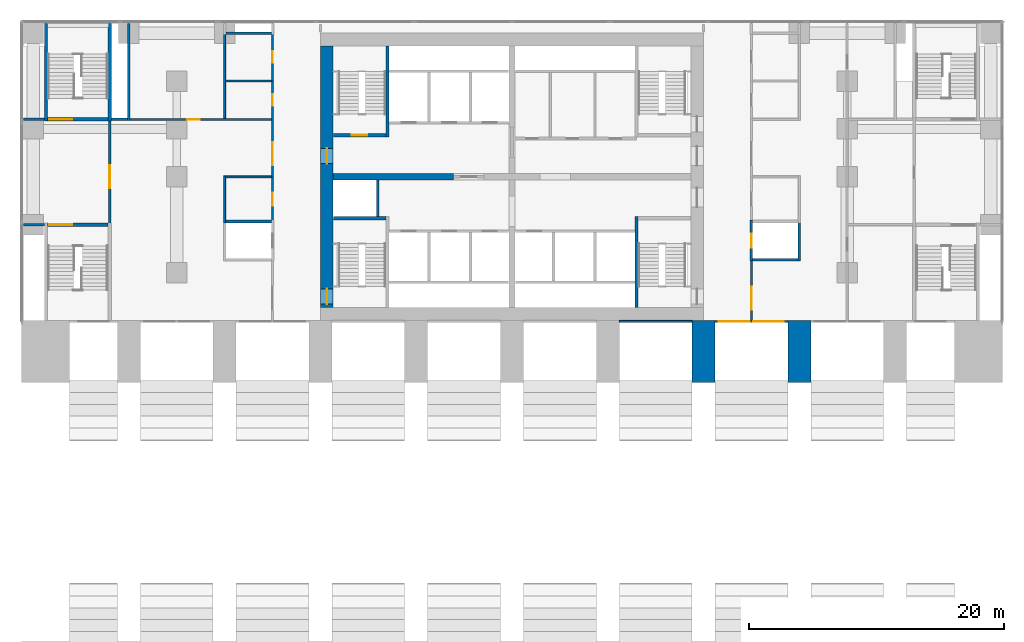
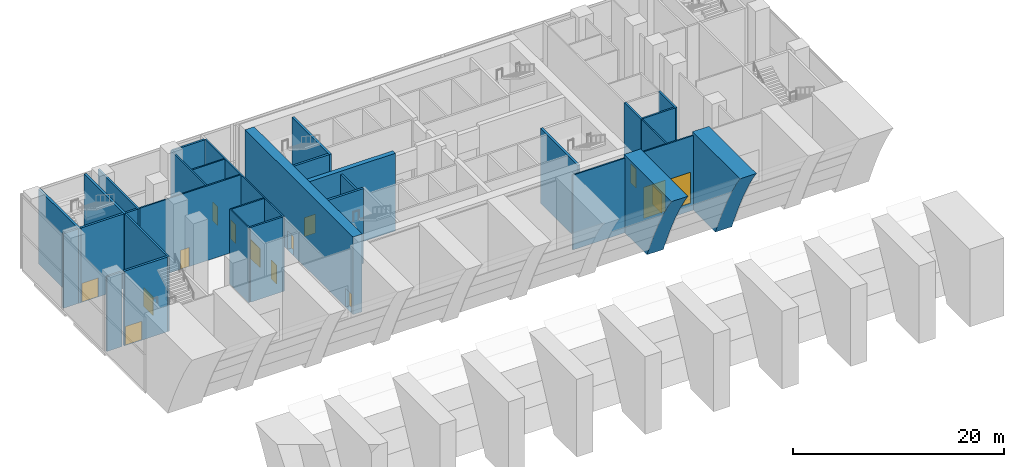
# One storey, part 6 of 14: 32 walls, 13 doors, 2 windows, 15 openings.
"""IFC4 building model written with IfcOpenShell, lengths in metres."""

import ifcopenshell
import ifcopenshell.guid

model = None  # the IFC model being written
_history = None  # IfcOwnerHistory: only IFC2X3 demands one
_inside = {}  # id of a spatial element -> (the spatial element, [elements in it])
_under = {}  # id of a project, library or spatial element -> (it, [spatial elements below it])
_declared = {}  # id of a project -> (the project, [libraries it declares])
_typed = {}  # id of a type object -> (the type object, [elements of that type])
_made_of = {}  # id of a material, layer set ... -> (it, [elements and type objects made of it])


def new_model(schema):
    """Start an empty IFC model of exactly this schema.

    Asked for "IFC4X3", IfcOpenShell would pick the latest addendum, in which some entities
    have other attributes; the version numbers below select the first issue.
    IFC2X3 requires an IfcOwnerHistory on every rooted entity: one is made here for all.
    """
    global model, _history
    if schema == "IFC4X3":
        model = ifcopenshell.file(schema_version=(4, 3, 0, 0))
    else:
        model = ifcopenshell.file(schema=schema)
    _inside.clear()
    _under.clear()
    _declared.clear()
    _typed.clear()
    _made_of.clear()
    _history = None
    if model.schema == "IFC2X3":
        org = make("IfcOrganization", Name="unknown")
        user = make(
            "IfcPersonAndOrganization",
            ThePerson=make("IfcPerson", FamilyName="unknown"),
            TheOrganization=org,
        )
        app = make(
            "IfcApplication",
            ApplicationDeveloper=org,
            Version="unknown",
            ApplicationFullName="unknown",
            ApplicationIdentifier="unknown",
        )
        _history = make(
            "IfcOwnerHistory",
            OwningUser=user,
            OwningApplication=app,
            ChangeAction="ADDED",
            CreationDate=0,
        )
    return model


def make(cls, **values):
    """One entity of the class cls with the attributes given. An attribute that is None is left unset."""
    return model.create_entity(
        cls, **{name: value for name, value in values.items() if value is not None}
    )


def rooted(cls, **values):
    """An entity with a GlobalId (a new one), such as an element, a storey or a relation."""
    return make(cls, GlobalId=ifcopenshell.guid.new(), OwnerHistory=_history, **values)


def si_unit(unit_type, name, prefix=None):
    """IfcSIUnit, for example si_unit("LENGTHUNIT", "METRE", prefix="MILLI")."""
    return make("IfcSIUnit", UnitType=unit_type, Prefix=prefix, Name=name)


def assignment(units):
    """IfcUnitAssignment: the units of a project."""
    return None if units is None else make("IfcUnitAssignment", Units=units)


def point(xyz):
    """IfcCartesianPoint."""
    return None if xyz is None else make("IfcCartesianPoint", Coordinates=xyz)


def direction(xyz):
    """IfcDirection."""
    return None if xyz is None else make("IfcDirection", DirectionRatios=xyz)


def frame(location, z_axis=None, x_axis=None):
    """IfcAxis2Placement3D, a coordinate frame: its origin and axes. An axis left out is left unset."""
    return make(
        "IfcAxis2Placement3D",
        Location=point(location),
        Axis=direction(z_axis),
        RefDirection=direction(x_axis),
    )


def frame_2d(location, x_axis=None):
    """IfcAxis2Placement2D, a coordinate frame in the plane: its origin and x axis."""
    return make(
        "IfcAxis2Placement2D", Location=point(location), RefDirection=direction(x_axis)
    )


def origin():
    """The frame at (0, 0, 0) with its axes left unset."""
    return frame((0.0, 0.0, 0.0))


def place(relative_to, where):
    """IfcLocalPlacement: puts the frame where relative to a parent placement (None: the world)."""
    return make(
        "IfcLocalPlacement", PlacementRelTo=relative_to, RelativePlacement=where
    )


def context(
    kind, dimensions, precision=None, world=None, true_north=None, identifier=None
):
    """IfcGeometricRepresentationContext, for example the 3D "Model" context."""
    return make(
        "IfcGeometricRepresentationContext",
        ContextIdentifier=identifier,
        ContextType=kind,
        CoordinateSpaceDimension=dimensions,
        Precision=precision,
        WorldCoordinateSystem=world,
        TrueNorth=true_north,
    )


def subcontext(parent, identifier, kind, view, scale=None):
    """IfcGeometricRepresentationSubContext, for example "Body" below "Model"."""
    return make(
        "IfcGeometricRepresentationSubContext",
        ContextIdentifier=identifier,
        ContextType=kind,
        ParentContext=parent,
        TargetScale=scale,
        TargetView=view,
    )


def project(units=None, contexts=None):
    """IfcProject with its units and contexts."""
    return rooted(
        "IfcProject",
        Name="project",
        RepresentationContexts=contexts,
        UnitsInContext=assignment(units),
    )


def spatial(cls, under=None, at=None, **own):
    """A site, building, storey or space (cls), placed at a placement, below another one or the project."""
    s = rooted(cls, ObjectPlacement=at, **own)
    if under is not None:
        _under.setdefault(under.id(), (under, []))[1].append(s)
    return s


def polyline(points):
    """IfcPolyline through the points."""
    return make("IfcPolyline", Points=[point(p) for p in points])


def profile(cls, at=None, kind="AREA", **sizes):
    """A parametric profile (cls). Its sizes go by their IFC names, for example OverallWidth=200.0."""
    return make(cls, ProfileType=kind, Position=at, **sizes)


def rectangle(**sizes):
    """IfcRectangleProfileDef."""
    return profile("IfcRectangleProfileDef", **sizes)


def outline(outer, holes=None, kind="AREA"):
    """IfcArbitraryClosedProfileDef: a profile drawn as a closed curve; with holes, ...WithVoids."""
    if holes is None:
        return make("IfcArbitraryClosedProfileDef", ProfileType=kind, OuterCurve=outer)
    return make(
        "IfcArbitraryProfileDefWithVoids",
        ProfileType=kind,
        OuterCurve=outer,
        InnerCurves=holes,
    )


def extrude(swept, where, along, depth):
    """IfcExtrudedAreaSolid: the profile swept, set in the frame where, extruded along a direction by depth."""
    return make(
        "IfcExtrudedAreaSolid",
        SweptArea=swept,
        Position=where,
        ExtrudedDirection=direction(along),
        Depth=depth,
    )


def shape(context_of_items, identifier, shape_type, items):
    """IfcShapeRepresentation: the items that make up one representation, for example the "Body"."""
    return make(
        "IfcShapeRepresentation",
        ContextOfItems=context_of_items,
        RepresentationIdentifier=identifier,
        RepresentationType=shape_type,
        Items=items,
    )


def material(Name=None, Category=None):
    """IfcMaterial."""
    return make("IfcMaterial", Name=Name, Category=Category)


def layer(
    of_material, thickness, ventilated=None, Name=None, Category=None, Priority=None
):
    """IfcMaterialLayer: one layer of a wall or slab, of a material (None: an air gap)."""
    return make(
        "IfcMaterialLayer",
        Material=of_material,
        LayerThickness=thickness,
        IsVentilated=ventilated,
        Name=Name,
        Category=Category,
        Priority=Priority,
    )


def layer_set(layers, Name=None):
    """IfcMaterialLayerSet."""
    return make("IfcMaterialLayerSet", MaterialLayers=layers, LayerSetName=Name)


def made_of(thing, what):
    """Note that an element or type object is made of a material, layer set ...; save() writes the relation."""
    if what is not None:
        _made_of.setdefault(what.id(), (what, []))[1].append(thing)
    return thing


def type_object(cls, material=None, **own):
    """A type object (cls), such as IfcWallType, which elements share."""
    return made_of(rooted(cls, **own), material)


def element(
    cls,
    number,
    at=None,
    inside=None,
    cuts=None,
    type_object=None,
    material=None,
    context=None,
    identifier="Body",
    shape_type=None,
    held_by="IfcProductDefinitionShape",
    body=None,
    shapes=None,
    **own,
):
    """One element of the class cls, such as IfcWall. Its Tag is "e" and its number.

    at: its placement. inside: the storey or other place that contains it. cuts: it is an
    opening in that element (IfcRelVoidsElement). A single representation is given by context,
    identifier, shape_type and body (its items); several are given by shapes. held_by: the class
    of the entity that holds the representations. save() writes the other relations.
    """
    e = rooted(cls, Tag="e%d" % number, ObjectPlacement=at, **own)
    if body is not None:
        shapes = [shape(context, identifier, shape_type, body)]
    if shapes is not None:
        e.Representation = make(held_by, Representations=shapes)
    if inside is not None:
        _inside.setdefault(inside.id(), (inside, []))[1].append(e)
    if cuts is not None:
        rooted(
            "IfcRelVoidsElement", RelatingBuildingElement=cuts, RelatedOpeningElement=e
        )
    if type_object is not None:
        _typed.setdefault(type_object.id(), (type_object, []))[1].append(e)
    return made_of(e, material)


def fill(opening, filler):
    """IfcRelFillsElement: the door or window that sits in an opening."""
    return rooted(
        "IfcRelFillsElement",
        RelatingOpeningElement=opening,
        RelatedBuildingElement=filler,
    )


def aggregate(whole, parts):
    """IfcRelAggregates: a whole, such as a stair, and the parts it consists of."""
    return rooted("IfcRelAggregates", RelatingObject=whole, RelatedObjects=parts)


def save(model, path):
    """Write the relations noted so far, then the file.

    IfcRelAggregates (storeys below a building ...), IfcRelContainedInSpatialStructure (elements
    in a storey), IfcRelDefinesByType, IfcRelAssociatesMaterial and IfcRelDeclares: one each for
    every whole, place, type object, material and project.
    """
    for whole, parts in _under.values():
        aggregate(whole, parts)
    for where, things in _inside.values():
        rooted(
            "IfcRelContainedInSpatialStructure",
            RelatedElements=things,
            RelatingStructure=where,
        )
    for kind, things in _typed.values():
        rooted("IfcRelDefinesByType", RelatedObjects=things, RelatingType=kind)
    for what, things in _made_of.values():
        rooted("IfcRelAssociatesMaterial", RelatedObjects=things, RelatingMaterial=what)
    for by, libraries in _declared.values():
        rooted("IfcRelDeclares", RelatingContext=by, RelatedDefinitions=libraries)
    model.write(path)


model = new_model("IFC4")

# Units and contexts
model_context = context("Model", 3, precision=1e-05, world=origin(), true_north=direction((0.0, 1.0)))
body_context = subcontext(model_context, "Body", "Model", "MODEL_VIEW")
ifc_project = project(units=[si_unit("LENGTHUNIT", "METRE"), si_unit("AREAUNIT", "SQUARE_METRE"), si_unit("VOLUMEUNIT", "CUBIC_METRE"), si_unit("PLANEANGLEUNIT", "RADIAN"), si_unit("MASSUNIT", "GRAM", prefix="KILO")], contexts=[model_context])

# Site, building, storey
site_placement = place(None, origin())
site = spatial("IfcSite", under=ifc_project, at=site_placement, CompositionType="ELEMENT")
building_placement = place(site_placement, origin())
building = spatial("IfcBuilding", under=site, at=building_placement, Name="Pilkhan Gate Tower", CompositionType="ELEMENT")
storey_placement = place(building_placement, frame((0.0, 0.0, 7.5)))
storey = spatial("IfcBuildingStorey", under=building, at=storey_placement, Name="L01", CompositionType="ELEMENT", Elevation=7.5)

# Walls
ifc_material_1 = material(Name="Concrete C70/85", Category="concrete")
ifc_layer_1 = layer(ifc_material_1, 1.800048828125)
ifc_layer_set_1 = layer_set([ifc_layer_1], Name="Arch wall AW1800 C70/85")
wall_type_1 = type_object("IfcWallType", Name="Arch wall AW1800 C70/85", PredefinedType="SHEAR", material=ifc_layer_set_1)
for number, where, z_axis, x_axis, name in (
    (1, (90.89990234375, 66.5625, 0.83984375), (1.0, 0.0, 0.0), (0.0, 0.371855891589, -0.928290469568), "Arch wall +15.00 L01-2"),
    (2, (98.39990234375, 66.5625, 0.83984375), (1.0, 0.0, 0.0), (0.0, 0.371855891589, -0.928290469568), "Arch wall +22.50 L01-2"),
):
    element("IfcWall", number, at=place(storey_placement, frame(where, z_axis=z_axis, x_axis=x_axis)), inside=storey, type_object=wall_type_1, Name=name, PredefinedType="SHEAR", context=body_context, shape_type="SweptSolid", body=[
        extrude(outline(polyline([(0.0, 0.0), (0.9047208578913915, 0.0), (2.5226934408728128, 4.039060729648831), (-5.831920785239549, 7.385763753946168), (-9.189608810240552, -0.9962731154322428), (-8.194368589775456, -0.7571722268898822), (-6.429068211608948, -0.45439775793944737), (-4.47498219839601, -0.22724730209772814), (-2.33188391672122, -0.07581164449450639), (0.0, 0.0)])), origin(), (0.0, 0.0, -1.0), 1.800048828125),
    ])

# Wall, openings, doors
ifc_layer_2 = layer(ifc_material_1, 1.0)
ifc_layer_set_2 = layer_set([ifc_layer_2], Name="Core wall CW1000 C70/85")
wall_type_2 = type_object("IfcWallType", Name="Core wall CW1000 C70/85", PredefinedType="SHEAR", material=ifc_layer_set_2)
wall_1_placement = place(storey_placement, frame((60.5, 92.75, 0.0), z_axis=(0.0, 0.0, 1.0), x_axis=(0.0, -1.0, 0.0)))
wall_1 = element("IfcWall", 3, at=wall_1_placement, inside=storey, type_object=wall_type_2, Name="Core wall W L01", PredefinedType="SHEAR", context=body_context, shape_type="SweptSolid", body=[
    extrude(rectangle(XDim=20.5, YDim=1.0, at=frame_2d((10.25, 0.0))), origin(), (0.0, 0.0, 1.0), 9.0),
])
opening_1_placement = place(wall_1_placement, frame((19.02490234375, 0.0, 0.0)))
opening_1 = element("IfcOpeningElement", 4, at=opening_1_placement, cuts=wall_1, Name="Opening L01-04", PredefinedType="OPENING", context=body_context, shape_type="SweptSolid", body=[
    extrude(rectangle(XDim=1.199951171875, YDim=2.199951171875, at=frame_2d((0.60009765625, 1.10009765625))), frame((0.0, 0.510009765625, 0.0), z_axis=(0.0, -1.0, 0.0), x_axis=(1.0, 0.0, 0.0)), (0.0, 0.0, 1.0), 1.02001953125),
])
opening_2_placement = place(wall_1_placement, frame((8.02490234375, 0.0, 0.0)))
opening_2 = element("IfcOpeningElement", 5, at=opening_2_placement, cuts=wall_1, Name="Opening L01-18", PredefinedType="OPENING", context=body_context, shape_type="SweptSolid", body=[
    extrude(rectangle(XDim=1.199951171875, YDim=2.199951171875, at=frame_2d((0.60009765625, 1.10009765625))), frame((0.0, 0.510009765625, 0.0), z_axis=(0.0, -1.0, 0.0), x_axis=(1.0, 0.0, 0.0)), (0.0, 0.0, 1.0), 1.02001953125),
])
ifc_material_2 = material(Name="Steel door, 120 minute fire resisting, self-closing", Category="steel")
door_type_1 = type_object("IfcDoorType", Name="Firefighting lobby door D10 1200x2200", OperationType="SINGLE_SWING_LEFT", PredefinedType="DOOR", material=ifc_material_2)
door_1_placement = place(opening_2_placement, origin())
door_1 = element("IfcDoor", 6, at=door_1_placement, inside=storey, type_object=door_type_1, Name="Core door", OperationType="SINGLE_SWING_LEFT", OverallHeight=2.199951171875, OverallWidth=1.199951171875, PredefinedType="DOOR", context=body_context, shape_type="SweptSolid", body=[
    extrude(rectangle(XDim=1.199951171875, YDim=2.199951171875, at=frame_2d((0.60009765625, 1.10009765625))), frame((0.0, 0.02490234375, 0.0), z_axis=(0.0, -1.0, 0.0), x_axis=(1.0, 0.0, 0.0)), (0.0, 0.0, 1.0), 0.050048828125),
])
fill(opening_2, door_1)
ifc_material_3 = material(Name="Steel door, 120 minute fire resisting, panic bar", Category="steel")
door_type_2 = type_object("IfcDoorType", Name="Stair door D11 1200x2200", OperationType="SINGLE_SWING_LEFT", PredefinedType="DOOR", material=ifc_material_3)
door_2_placement = place(opening_1_placement, origin())
door_2 = element("IfcDoor", 7, at=door_2_placement, inside=storey, type_object=door_type_2, Name="Stair ST2 door", OperationType="SINGLE_SWING_LEFT", OverallHeight=2.199951171875, OverallWidth=1.199951171875, PredefinedType="DOOR", context=body_context, shape_type="SweptSolid", body=[
    extrude(rectangle(XDim=1.199951171875, YDim=2.199951171875, at=frame_2d((0.60009765625, 1.10009765625))), frame((0.0, 0.02490234375, 0.0), z_axis=(0.0, -1.0, 0.0), x_axis=(1.0, 0.0, 0.0)), (0.0, 0.0, 1.0), 0.050048828125),
])
fill(opening_1, door_2)

# Wall
ifc_material_4 = material(Name="Pale anodised aluminium, clear laminated glazing", Category="aluminium")
ifc_layer_3 = layer(ifc_material_4, 0.14990234375)
ifc_layer_set_3 = layer_set([ifc_layer_3], Name="Facade infill wall IW150")
wall_type_3 = type_object("IfcWallType", Name="Facade infill wall IW150", PredefinedType="SOLIDWALL", material=ifc_layer_set_3)
wall_2_placement = place(storey_placement, frame((83.39990234375, 71.175048828125, 0.0), z_axis=(0.0, 0.0, 1.0), x_axis=(1.0, 0.0, 0.0)))
element("IfcWall", 8, at=wall_2_placement, inside=storey, type_object=wall_type_3, Name="Shopfront wall L01", PredefinedType="SOLIDWALL", context=body_context, shape_type="SweptSolid", body=[
    extrude(rectangle(XDim=5.7001953125, YDim=0.14990234375, at=frame_2d((2.85009765625, 0.0))), origin(), (0.0, 0.0, 1.0), 8.64990234375),
])

# Wall, openings, windows
wall_3_placement = place(storey_placement, frame((90.89990234375, 71.175048828125, 0.0), z_axis=(0.0, 0.0, 1.0), x_axis=(1.0, 0.0, 0.0)))
wall_3 = element("IfcWall", 9, at=wall_3_placement, inside=storey, type_object=wall_type_3, Name="Shopfront wall L01", PredefinedType="SOLIDWALL", context=body_context, shape_type="SweptSolid", body=[
    extrude(rectangle(XDim=5.7001953125, YDim=0.14990234375, at=frame_2d((2.85009765625, 0.0))), origin(), (0.0, 0.0, 1.0), 8.64990234375),
])
opening_3_placement = place(wall_3_placement, frame((0.300048828125, 0.0, 0.89990234375)))
opening_3 = element("IfcOpeningElement", 10, at=opening_3_placement, cuts=wall_3, Name="Opening WS2", PredefinedType="OPENING", context=body_context, shape_type="SweptSolid", body=[
    extrude(rectangle(XDim=2.39990234375, YDim=3.60009765625, at=frame_2d((1.199951171875, 1.800048828125))), frame((0.0, 0.0849609375, 0.0), z_axis=(0.0, -1.0, 0.0), x_axis=(1.0, 0.0, 0.0)), (0.0, 0.0, 1.0), 0.169921875),
])
opening_4_placement = place(wall_3_placement, frame((3.0, 0.0, 0.89990234375)))
opening_4 = element("IfcOpeningElement", 11, at=opening_4_placement, cuts=wall_3, Name="Opening WS2", PredefinedType="OPENING", context=body_context, shape_type="SweptSolid", body=[
    extrude(rectangle(XDim=2.39990234375, YDim=3.60009765625, at=frame_2d((1.199951171875, 1.800048828125))), frame((0.0, 0.0849609375, 0.0), z_axis=(0.0, -1.0, 0.0), x_axis=(1.0, 0.0, 0.0)), (0.0, 0.0, 1.0), 0.169921875),
])
window_type = type_object("IfcWindowType", Name="Shopfront window WS2 2400x3600", PartitioningType="SINGLE_PANEL", PredefinedType="WINDOW", material=ifc_material_4)
window_1_placement = place(opening_3_placement, origin())
window_1 = element("IfcWindow", 12, at=window_1_placement, inside=storey, type_object=window_type, Name="Shopfront window L01", OverallHeight=3.60009765625, OverallWidth=2.39990234375, PartitioningType="SINGLE_PANEL", PredefinedType="WINDOW", context=body_context, shape_type="SweptSolid", body=[
    extrude(rectangle(XDim=2.39990234375, YDim=3.60009765625, at=frame_2d((1.199951171875, 1.800048828125))), frame((0.0, 0.030029296875, 0.0), z_axis=(0.0, -1.0, 0.0), x_axis=(1.0, 0.0, 0.0)), (0.0, 0.0, 1.0), 0.06005859375),
])
fill(opening_3, window_1)
window_2_placement = place(opening_4_placement, origin())
window_2 = element("IfcWindow", 13, at=window_2_placement, inside=storey, type_object=window_type, Name="Shopfront window L01", OverallHeight=3.60009765625, OverallWidth=2.39990234375, PartitioningType="SINGLE_PANEL", PredefinedType="WINDOW", context=body_context, shape_type="SweptSolid", body=[
    extrude(rectangle(XDim=2.39990234375, YDim=3.60009765625, at=frame_2d((1.199951171875, 1.800048828125))), frame((0.0, 0.030029296875, 0.0), z_axis=(0.0, -1.0, 0.0), x_axis=(1.0, 0.0, 0.0)), (0.0, 0.0, 1.0), 0.06005859375),
])
fill(opening_4, window_2)

# Walls
ifc_material_5 = material(Name="Dense blockwork", Category="masonry")
ifc_layer_4 = layer(ifc_material_5, 0.199951171875)
ifc_layer_set_4 = layer_set([ifc_layer_4], Name="Lobby wall LW200")
wall_type_4 = type_object("IfcWallType", Name="Lobby wall LW200", PredefinedType="PARTITIONING", material=ifc_layer_set_4)
for number, where, z_axis, x_axis, name in (
    (14, (36.735107421875, 78.75, 0.0), (0.0, 0.0, 1.0), (1.0, 0.0, 0.0), "Partition L01"),
    (15, (36.735107421875, 87.0, 0.0), (0.0, 0.0, 1.0), (1.0, 0.0, 0.0), "Partition L01"),
):
    element("IfcWall", number, at=place(storey_placement, frame(where, z_axis=z_axis, x_axis=x_axis)), inside=storey, type_object=wall_type_4, Name=name, PredefinedType="PARTITIONING", context=body_context, shape_type="SweptSolid", body=[
        extrude(rectangle(XDim=1.639892578125, YDim=0.199951171875, at=frame_2d((0.81982421875, 0.0))), origin(), (0.0, 0.0, 1.0), 8.64990234375),
    ])
wall_4_placement = place(storey_placement, frame((43.625, 87.0, 0.0), z_axis=(0.0, 0.0, 1.0), x_axis=(1.0, 0.0, 0.0)))
element("IfcWall", 16, at=wall_4_placement, inside=storey, type_object=wall_type_4, Name="Partition L01", PredefinedType="PARTITIONING", context=body_context, shape_type="SweptSolid", body=[
    extrude(rectangle(XDim=1.27490234375, YDim=0.199951171875, at=frame_2d((0.637451171875, 0.0))), origin(), (0.0, 0.0, 1.0), 8.64990234375),
])
wall_5_placement = place(storey_placement, frame((52.60009765625, 93.75, 0.0), z_axis=(0.0, 0.0, 1.0), x_axis=(1.0, 0.0, 0.0)))
element("IfcWall", 17, at=wall_5_placement, inside=storey, type_object=wall_type_4, Name="Partition L01", PredefinedType="PARTITIONING", context=body_context, shape_type="SweptSolid", body=[
    extrude(rectangle(XDim=3.5498046875, YDim=0.199951171875, at=frame_2d((1.77490234375, 0.0))), origin(), (0.0, 0.0, 1.0), 8.64990234375),
])

# Wall, opening, door
wall_6_placement = place(storey_placement, frame((43.5, 78.625, 0.0), z_axis=(0.0, 0.0, 1.0), x_axis=(0.0, 1.0, 0.0)))
wall_6 = element("IfcWall", 18, at=wall_6_placement, inside=storey, type_object=wall_type_4, Name="Partition L01", PredefinedType="PARTITIONING", context=body_context, shape_type="SweptSolid", body=[
    extrude(rectangle(XDim=8.5, YDim=0.199951171875, at=frame_2d((4.25, 0.0))), origin(), (0.0, 0.0, 1.0), 8.64990234375),
])
opening_5_placement = place(wall_6_placement, frame((2.97509765625, 0.0, 0.0)))
opening_5 = element("IfcOpeningElement", 19, at=opening_5_placement, cuts=wall_6, Name="Opening L01-14", PredefinedType="OPENING", context=body_context, shape_type="SweptSolid", body=[
    extrude(rectangle(XDim=1.800048828125, YDim=2.199951171875, at=frame_2d((0.89990234375, 1.10009765625))), frame((0.0, 0.10986328125, 0.0), z_axis=(0.0, -1.0, 0.0), x_axis=(1.0, 0.0, 0.0)), (0.0, 0.0, 1.0), 0.219970703125),
])
ifc_material_6 = material(Name="Timber glazed double door, 30 minute fire resisting", Category="wood")
door_type_3 = type_object("IfcDoorType", Name="Double door D04 1800x2200", OperationType="DOUBLE_DOOR_SINGLE_SWING", PredefinedType="DOOR", material=ifc_material_6)
door_3_placement = place(opening_5_placement, origin())
door_3 = element("IfcDoor", 20, at=door_3_placement, inside=storey, type_object=door_type_3, Name="Hall door", OperationType="DOUBLE_DOOR_SINGLE_SWING", OverallHeight=2.199951171875, OverallWidth=1.800048828125, PredefinedType="DOOR", context=body_context, shape_type="SweptSolid", body=[
    extrude(rectangle(XDim=1.800048828125, YDim=2.199951171875, at=frame_2d((0.89990234375, 1.10009765625))), frame((0.0, 0.02490234375, 0.0), z_axis=(0.0, -1.0, 0.0), x_axis=(1.0, 0.0, 0.0)), (0.0, 0.0, 1.0), 0.050048828125),
])
fill(opening_5, door_3)

# Walls
wall_7_placement = place(storey_placement, frame((45.0, 86.89990234375, 0.0), z_axis=(0.0, 0.0, 1.0), x_axis=(0.0, 1.0, 0.0)))
element("IfcWall", 21, at=wall_7_placement, inside=storey, type_object=wall_type_4, Name="Partition L01", PredefinedType="PARTITIONING", context=body_context, shape_type="SweptSolid", body=[
    extrude(rectangle(XDim=7.614990234375, YDim=0.199951171875, at=frame_2d((3.8076171875, 0.0))), origin(), (0.0, 0.0, 1.0), 8.64990234375),
])
ifc_material_7 = material(Name="Blockwork partition, plastered both sides", Category="masonry")
ifc_layer_5 = layer(ifc_material_7, 0.14990234375)
ifc_layer_set_5 = layer_set([ifc_layer_5], Name="Partition PW150")
wall_type_5 = type_object("IfcWallType", Name="Partition PW150", PredefinedType="PARTITIONING", material=ifc_layer_set_5)
wall_8_placement = place(storey_placement, frame((52.574951171875, 82.5, 0.0), z_axis=(0.0, 0.0, 1.0), x_axis=(1.0, 0.0, 0.0)))
element("IfcWall", 22, at=wall_8_placement, inside=storey, type_object=wall_type_5, Name="Partition L01", PredefinedType="PARTITIONING", context=body_context, shape_type="SweptSolid", body=[
    extrude(rectangle(XDim=3.60009765625, YDim=0.14990234375, at=frame_2d((1.800048828125, 0.0))), origin(), (0.0, 0.0, 1.0), 8.64990234375),
])

# Wall, opening, door
wall_9_placement = place(storey_placement, frame((45.10009765625, 87.0, 0.0), z_axis=(0.0, 0.0, 1.0), x_axis=(1.0, 0.0, 0.0)))
wall_9 = element("IfcWall", 23, at=wall_9_placement, inside=storey, type_object=wall_type_5, Name="Partition L01", PredefinedType="PARTITIONING", context=body_context, shape_type="SweptSolid", body=[
    extrude(rectangle(XDim=11.074951171875, YDim=0.14990234375, at=frame_2d((5.53759765625, 0.0))), origin(), (0.0, 0.0, 1.0), 8.64990234375),
])
opening_6_placement = place(wall_9_placement, frame((4.449951171875, 0.0, 0.0)))
opening_6 = element("IfcOpeningElement", 24, at=opening_6_placement, cuts=wall_9, Name="Opening L01-23", PredefinedType="OPENING", context=body_context, shape_type="SweptSolid", body=[
    extrude(rectangle(XDim=1.0, YDim=2.199951171875, at=frame_2d((0.5, 1.10009765625))), frame((0.0, 0.0849609375, 0.0), z_axis=(0.0, -1.0, 0.0), x_axis=(1.0, 0.0, 0.0)), (0.0, 0.0, 1.0), 0.169921875),
])
ifc_material_8 = material(Name="Timber flush door, 30 minute fire resisting", Category="wood")
door_type_4 = type_object("IfcDoorType", Name="Room door D03 1000x2200", OperationType="SINGLE_SWING_LEFT", PredefinedType="DOOR", material=ifc_material_8)
door_4_placement = place(opening_6_placement, origin())
door_4 = element("IfcDoor", 25, at=door_4_placement, inside=storey, type_object=door_type_4, Name="Room door", OperationType="SINGLE_SWING_LEFT", OverallHeight=2.199951171875, OverallWidth=1.0, PredefinedType="DOOR", context=body_context, shape_type="SweptSolid", body=[
    extrude(rectangle(XDim=1.0, YDim=2.199951171875, at=frame_2d((0.5, 1.10009765625))), frame((0.0, 0.02490234375, 0.0), z_axis=(0.0, -1.0, 0.0), x_axis=(1.0, 0.0, 0.0)), (0.0, 0.0, 1.0), 0.050048828125),
])
fill(opening_6, door_4)

# Walls
wall_10_placement = place(storey_placement, frame((52.574951171875, 90.0, 0.0), z_axis=(0.0, 0.0, 1.0), x_axis=(1.0, 0.0, 0.0)))
element("IfcWall", 26, at=wall_10_placement, inside=storey, type_object=wall_type_5, Name="Partition L01", PredefinedType="PARTITIONING", context=body_context, shape_type="SweptSolid", body=[
    extrude(rectangle(XDim=3.60009765625, YDim=0.14990234375, at=frame_2d((1.800048828125, 0.0))), origin(), (0.0, 0.0, 1.0), 8.64990234375),
])
wall_11_placement = place(storey_placement, frame((52.5, 78.89990234375, 0.0), z_axis=(0.0, 0.0, 1.0), x_axis=(0.0, 1.0, 0.0)))
element("IfcWall", 27, at=wall_11_placement, inside=storey, type_object=wall_type_5, Name="Partition L01", PredefinedType="PARTITIONING", context=body_context, shape_type="SweptSolid", body=[
    extrude(rectangle(XDim=3.675048828125, YDim=0.14990234375, at=frame_2d((1.83740234375, 0.0))), origin(), (0.0, 0.0, 1.0), 8.64990234375),
])
wall_12_placement = place(storey_placement, frame((52.5, 87.074951171875, 0.0), z_axis=(0.0, 0.0, 1.0), x_axis=(0.0, 1.0, 0.0)))
element("IfcWall", 28, at=wall_12_placement, inside=storey, type_object=wall_type_5, Name="Partition L01", PredefinedType="PARTITIONING", context=body_context, shape_type="SweptSolid", body=[
    extrude(rectangle(XDim=6.675048828125, YDim=0.14990234375, at=frame_2d((3.33740234375, 0.0))), origin(), (0.0, 0.0, 1.0), 8.64990234375),
])

# Wall, openings, doors
wall_13_placement = place(storey_placement, frame((56.25, 78.89990234375, 0.0), z_axis=(0.0, 0.0, 1.0), x_axis=(0.0, 1.0, 0.0)))
wall_13 = element("IfcWall", 29, at=wall_13_placement, inside=storey, type_object=wall_type_5, Name="Partition L01", PredefinedType="PARTITIONING", context=body_context, shape_type="SweptSolid", body=[
    extrude(rectangle(XDim=14.85009765625, YDim=0.14990234375, at=frame_2d((7.425048828125, 0.0))), origin(), (0.0, 0.0, 1.0), 8.64990234375),
])
opening_7_placement = place(wall_13_placement, frame((4.5, 0.0, 0.0)))
opening_7 = element("IfcOpeningElement", 30, at=opening_7_placement, cuts=wall_13, Name="Opening L01-11", PredefinedType="OPENING", context=body_context, shape_type="SweptSolid", body=[
    extrude(rectangle(XDim=1.800048828125, YDim=2.199951171875, at=frame_2d((0.89990234375, 1.10009765625))), frame((0.0, 0.0849609375, 0.0), z_axis=(0.0, -1.0, 0.0), x_axis=(1.0, 0.0, 0.0)), (0.0, 0.0, 1.0), 0.169921875),
])
opening_8_placement = place(wall_13_placement, frame((9.14990234375, 0.0, 0.0)))
opening_8 = element("IfcOpeningElement", 31, at=opening_8_placement, cuts=wall_13, Name="Opening L01-24", PredefinedType="OPENING", context=body_context, shape_type="SweptSolid", body=[
    extrude(rectangle(XDim=0.89990234375, YDim=2.199951171875, at=frame_2d((0.449951171875, 1.10009765625))), frame((0.0, 0.0849609375, 0.0), z_axis=(0.0, -1.0, 0.0), x_axis=(1.0, 0.0, 0.0)), (0.0, 0.0, 1.0), 0.169921875),
])
opening_9_placement = place(wall_13_placement, frame((12.550048828125, 0.0, 0.0)))
opening_9 = element("IfcOpeningElement", 32, at=opening_9_placement, cuts=wall_13, Name="Opening L01-25", PredefinedType="OPENING", context=body_context, shape_type="SweptSolid", body=[
    extrude(rectangle(XDim=0.89990234375, YDim=2.199951171875, at=frame_2d((0.449951171875, 1.10009765625))), frame((0.0, 0.0849609375, 0.0), z_axis=(0.0, -1.0, 0.0), x_axis=(1.0, 0.0, 0.0)), (0.0, 0.0, 1.0), 0.169921875),
])
opening_10_placement = place(wall_13_placement, frame((1.35009765625, 0.0, 0.0)))
opening_10 = element("IfcOpeningElement", 33, at=opening_10_placement, cuts=wall_13, Name="Opening L01-26", PredefinedType="OPENING", context=body_context, shape_type="SweptSolid", body=[
    extrude(rectangle(XDim=1.0, YDim=2.199951171875, at=frame_2d((0.5, 1.10009765625))), frame((0.0, 0.0849609375, 0.0), z_axis=(0.0, -1.0, 0.0), x_axis=(1.0, 0.0, 0.0)), (0.0, 0.0, 1.0), 0.169921875),
])
ifc_material_9 = material(Name="Timber flush door, outward opening, 30 minute fire resisting", Category="wood")
door_type_5 = type_object("IfcDoorType", Name="Accessible toilet door D07 1000x2200", OperationType="SINGLE_SWING_LEFT", PredefinedType="DOOR", material=ifc_material_9)
door_5_placement = place(opening_10_placement, origin())
door_5 = element("IfcDoor", 34, at=door_5_placement, inside=storey, type_object=door_type_5, Name="Accessible toilet door", OperationType="SINGLE_SWING_LEFT", OverallHeight=2.199951171875, OverallWidth=1.0, PredefinedType="DOOR", context=body_context, shape_type="SweptSolid", body=[
    extrude(rectangle(XDim=1.0, YDim=2.199951171875, at=frame_2d((0.5, 1.10009765625))), frame((0.0, 0.02490234375, 0.0), z_axis=(0.0, -1.0, 0.0), x_axis=(1.0, 0.0, 0.0)), (0.0, 0.0, 1.0), 0.050048828125),
])
fill(opening_10, door_5)
door_6_placement = place(opening_7_placement, origin())
door_6 = element("IfcDoor", 35, at=door_6_placement, inside=storey, type_object=door_type_3, Name="Hall door", OperationType="DOUBLE_DOOR_SINGLE_SWING", OverallHeight=2.199951171875, OverallWidth=1.800048828125, PredefinedType="DOOR", context=body_context, shape_type="SweptSolid", body=[
    extrude(rectangle(XDim=1.800048828125, YDim=2.199951171875, at=frame_2d((0.89990234375, 1.10009765625))), frame((0.0, 0.02490234375, 0.0), z_axis=(0.0, -1.0, 0.0), x_axis=(1.0, 0.0, 0.0)), (0.0, 0.0, 1.0), 0.050048828125),
])
fill(opening_7, door_6)
door_type_6 = type_object("IfcDoorType", Name="Toilet door D06 900x2200", OperationType="SINGLE_SWING_LEFT", PredefinedType="DOOR", material=ifc_material_8)
door_7_placement = place(opening_8_placement, origin())
door_7 = element("IfcDoor", 36, at=door_7_placement, inside=storey, type_object=door_type_6, Name="Toilet door", OperationType="SINGLE_SWING_LEFT", OverallHeight=2.199951171875, OverallWidth=0.89990234375, PredefinedType="DOOR", context=body_context, shape_type="SweptSolid", body=[
    extrude(rectangle(XDim=0.89990234375, YDim=2.199951171875, at=frame_2d((0.449951171875, 1.10009765625))), frame((0.0, 0.02490234375, 0.0), z_axis=(0.0, -1.0, 0.0), x_axis=(1.0, 0.0, 0.0)), (0.0, 0.0, 1.0), 0.050048828125),
])
fill(opening_8, door_7)
door_8_placement = place(opening_9_placement, origin())
door_8 = element("IfcDoor", 37, at=door_8_placement, inside=storey, type_object=door_type_6, Name="Toilet door", OperationType="SINGLE_SWING_RIGHT", OverallHeight=2.199951171875, OverallWidth=0.89990234375, PredefinedType="DOOR", context=body_context, shape_type="SweptSolid", body=[
    extrude(rectangle(XDim=0.89990234375, YDim=2.199951171875, at=frame_2d((0.449951171875, 1.10009765625))), frame((0.0, 0.02490234375, 0.0), z_axis=(0.0, -1.0, 0.0), x_axis=(1.0, 0.0, 0.0)), (0.0, 0.0, 1.0), 0.050048828125),
])
fill(opening_9, door_8)

# Wall, opening, door
wall_14_placement = place(storey_placement, frame((93.75, 71.25, 0.0), z_axis=(0.0, 0.0, 1.0), x_axis=(0.0, 1.0, 0.0)))
wall_14 = element("IfcWall", 38, at=wall_14_placement, inside=storey, type_object=wall_type_5, Name="Partition L01", PredefinedType="PARTITIONING", context=body_context, shape_type="SweptSolid", body=[
    extrude(rectangle(XDim=4.85009765625, YDim=0.14990234375, at=frame_2d((2.425048828125, 0.0))), origin(), (0.0, 0.0, 1.0), 8.64990234375),
])
opening_11_placement = place(wall_14_placement, frame((0.85009765625, 0.0, 0.0)))
opening_11 = element("IfcOpeningElement", 39, at=opening_11_placement, cuts=wall_14, Name="Opening L01-12", PredefinedType="OPENING", context=body_context, shape_type="SweptSolid", body=[
    extrude(rectangle(XDim=1.800048828125, YDim=2.199951171875, at=frame_2d((0.89990234375, 1.10009765625))), frame((0.0, 0.0849609375, 0.0), z_axis=(0.0, -1.0, 0.0), x_axis=(1.0, 0.0, 0.0)), (0.0, 0.0, 1.0), 0.169921875),
])
door_9_placement = place(opening_11_placement, origin())
door_9 = element("IfcDoor", 40, at=door_9_placement, inside=storey, type_object=door_type_3, Name="Hall door", OperationType="DOUBLE_DOOR_SINGLE_SWING", OverallHeight=2.199951171875, OverallWidth=1.800048828125, PredefinedType="DOOR", context=body_context, shape_type="SweptSolid", body=[
    extrude(rectangle(XDim=1.800048828125, YDim=2.199951171875, at=frame_2d((0.89990234375, 1.10009765625))), frame((0.0, 0.02490234375, 0.0), z_axis=(0.0, -1.0, 0.0), x_axis=(1.0, 0.0, 0.0)), (0.0, 0.0, 1.0), 0.050048828125),
])
fill(opening_11, door_9)

# Walls
ifc_material_10 = material(Name="Reinforced blockwork shaft wall, 120 minute fire resisting", Category="masonry")
ifc_layer_6 = layer(ifc_material_10, 0.199951171875)
ifc_layer_set_6 = layer_set([ifc_layer_6], Name="Shaft wall SW200")
wall_type_6 = type_object("IfcWallType", Name="Shaft wall SW200", PredefinedType="PARTITIONING", material=ifc_layer_set_6)
for number, where, z_axis, x_axis, name in (
    (41, (93.85009765625, 76.0, 0.0), (0.0, 0.0, 1.0), (1.0, 0.0, 0.0), "Partition L01"),
    (42, (52.60009765625, 79.0, 0.0), (0.0, 0.0, 1.0), (1.0, 0.0, 0.0), "Partition L01"),
):
    element("IfcWall", number, at=place(storey_placement, frame(where, z_axis=z_axis, x_axis=x_axis)), inside=storey, type_object=wall_type_6, Name=name, PredefinedType="PARTITIONING", context=body_context, shape_type="SweptSolid", body=[
        extrude(rectangle(XDim=3.5498046875, YDim=0.199951171875, at=frame_2d((1.77490234375, 0.0))), origin(), (0.0, 0.0, 1.0), 8.64990234375),
    ])
wall_15_placement = place(storey_placement, frame((64.5, 79.375, 0.0), z_axis=(0.0, 0.0, 1.0), x_axis=(0.0, 1.0, 0.0)))
element("IfcWall", 43, at=wall_15_placement, inside=storey, type_object=wall_type_6, Name="Partition L01", PredefinedType="PARTITIONING", context=body_context, shape_type="SweptSolid", body=[
    extrude(rectangle(XDim=2.864990234375, YDim=0.199951171875, at=frame_2d((1.4326171875, 0.0))), origin(), (0.0, 0.0, 1.0), 8.64990234375),
])

# Wall, opening, door
wall_16_placement = place(storey_placement, frame((93.75, 75.89990234375, 0.0), z_axis=(0.0, 0.0, 1.0), x_axis=(0.0, 1.0, 0.0)))
wall_16 = element("IfcWall", 44, at=wall_16_placement, inside=storey, type_object=wall_type_6, Name="Partition L01", PredefinedType="PARTITIONING", context=body_context, shape_type="SweptSolid", body=[
    extrude(rectangle(XDim=3.2001953125, YDim=0.199951171875, at=frame_2d((1.60009765625, 0.0))), origin(), (0.0, 0.0, 1.0), 8.64990234375),
])
opening_12_placement = place(wall_16_placement, frame((1.050048828125, 0.0, 0.0)))
opening_12 = element("IfcOpeningElement", 45, at=opening_12_placement, cuts=wall_16, Name="Opening LD", PredefinedType="OPENING", context=body_context, shape_type="SweptSolid", body=[
    extrude(rectangle(XDim=1.10009765625, YDim=2.199951171875, at=frame_2d((0.550048828125, 1.10009765625))), frame((0.0, 0.10986328125, 0.0), z_axis=(0.0, -1.0, 0.0), x_axis=(1.0, 0.0, 0.0)), (0.0, 0.0, 1.0), 0.219970703125),
])
ifc_material_11 = material(Name="Stainless steel centre-opening landing door, 120 minute fire resisting", Category="steel")
door_type_7 = type_object("IfcDoorType", Name="Lift landing door LD 1100x2200", OperationType="DOUBLE_DOOR_SLIDING", PredefinedType="DOOR", material=ifc_material_11)
door_10_placement = place(opening_12_placement, origin())
door_10 = element("IfcDoor", 46, at=door_10_placement, inside=storey, type_object=door_type_7, Name="Landing door P2", OperationType="DOUBLE_DOOR_SLIDING", OverallHeight=2.199951171875, OverallWidth=1.10009765625, PredefinedType="DOOR", context=body_context, shape_type="SweptSolid", body=[
    extrude(rectangle(XDim=1.10009765625, YDim=2.199951171875, at=frame_2d((0.550048828125, 1.10009765625))), frame((0.0, 0.02490234375, 0.0), z_axis=(0.0, -1.0, 0.0), x_axis=(1.0, 0.0, 0.0)), (0.0, 0.0, 1.0), 0.050048828125),
])
fill(opening_12, door_10)

# Walls
wall_17_placement = place(storey_placement, frame((97.5, 75.89990234375, 0.0), z_axis=(0.0, 0.0, 1.0), x_axis=(0.0, 1.0, 0.0)))
element("IfcWall", 47, at=wall_17_placement, inside=storey, type_object=wall_type_6, Name="Partition L01", PredefinedType="PARTITIONING", context=body_context, shape_type="SweptSolid", body=[
    extrude(rectangle(XDim=3.2001953125, YDim=0.199951171875, at=frame_2d((1.60009765625, 0.0))), origin(), (0.0, 0.0, 1.0), 8.64990234375),
])
ifc_layer_7 = layer(ifc_material_1, 0.5)
ifc_layer_set_7 = layer_set([ifc_layer_7], Name="Spine wall SW500 C70/85")
wall_type_7 = type_object("IfcWallType", Name="Spine wall SW500 C70/85", PredefinedType="SHEAR", material=ifc_layer_set_7)
wall_18_placement = place(storey_placement, frame((61.0, 82.5, 0.0), z_axis=(0.0, 0.0, 1.0), x_axis=(1.0, 0.0, 0.0)))
element("IfcWall", 48, at=wall_18_placement, inside=storey, type_object=wall_type_7, Name="Spine wall SP-EW1 L01", PredefinedType="SHEAR", context=body_context, shape_type="SweptSolid", body=[
    extrude(rectangle(XDim=9.39990234375, YDim=0.5, at=frame_2d((4.699951171875, 0.0))), origin(), (0.0, 0.0, 1.0), 9.0),
])

# Wall, opening, door
ifc_material_12 = material(Name="Reinforced blockwork, 120 minute fire resisting", Category="masonry")
ifc_layer_8 = layer(ifc_material_12, 0.25)
ifc_layer_set_8 = layer_set([ifc_layer_8], Name="Stair enclosure wall SE250")
wall_type_8 = type_object("IfcWallType", Name="Stair enclosure wall SE250", PredefinedType="PARTITIONING", material=ifc_layer_set_8)
wall_19_placement = place(storey_placement, frame((38.625, 78.75, 0.0), z_axis=(0.0, 0.0, 1.0), x_axis=(1.0, 0.0, 0.0)))
wall_19 = element("IfcWall", 49, at=wall_19_placement, inside=storey, type_object=wall_type_8, Name="Partition L01", PredefinedType="PARTITIONING", context=body_context, shape_type="SweptSolid", body=[
    extrude(rectangle(XDim=4.75, YDim=0.25, at=frame_2d((2.375, 0.0))), origin(), (0.0, 0.0, 1.0), 8.64990234375),
])
opening_13_placement = place(wall_19_placement, frame((0.14990234375, 0.0, 0.0)))
opening_13 = element("IfcOpeningElement", 50, at=opening_13_placement, cuts=wall_19, Name="Opening L01-08", PredefinedType="OPENING", context=body_context, shape_type="SweptSolid", body=[
    extrude(rectangle(XDim=1.800048828125, YDim=2.199951171875, at=frame_2d((0.89990234375, 1.10009765625))), frame((0.0, 0.135009765625, 0.0), z_axis=(0.0, -1.0, 0.0), x_axis=(1.0, 0.0, 0.0)), (0.0, 0.0, 1.0), 0.27001953125),
])
ifc_material_13 = material(Name="Steel double door, 120 minute fire resisting, panic bar", Category="steel")
door_type_8 = type_object("IfcDoorType", Name="Stair door D14 1800x2200", OperationType="DOUBLE_DOOR_SINGLE_SWING", PredefinedType="DOOR", material=ifc_material_13)
door_11_placement = place(opening_13_placement, origin())
door_11 = element("IfcDoor", 51, at=door_11_placement, inside=storey, type_object=door_type_8, Name="Stair PS3 door", OperationType="DOUBLE_DOOR_SINGLE_SWING", OverallHeight=2.199951171875, OverallWidth=1.800048828125, PredefinedType="DOOR", context=body_context, shape_type="SweptSolid", body=[
    extrude(rectangle(XDim=1.800048828125, YDim=2.199951171875, at=frame_2d((0.89990234375, 1.10009765625))), frame((0.0, 0.02490234375, 0.0), z_axis=(0.0, -1.0, 0.0), x_axis=(1.0, 0.0, 0.0)), (0.0, 0.0, 1.0), 0.050048828125),
])
fill(opening_13, door_11)

# Wall
wall_20_placement = place(storey_placement, frame((61.010009765625, 79.25, 0.0), z_axis=(0.0, 0.0, 1.0), x_axis=(1.0, 0.0, 0.0)))
element("IfcWall", 52, at=wall_20_placement, inside=storey, type_object=wall_type_8, Name="Partition L01", PredefinedType="PARTITIONING", context=body_context, shape_type="SweptSolid", body=[
    extrude(rectangle(XDim=4.114990234375, YDim=0.25, at=frame_2d((2.0576171875, 0.0))), origin(), (0.0, 0.0, 1.0), 8.64990234375),
])

# Wall, opening, door
wall_21_placement = place(storey_placement, frame((61.010009765625, 85.75, 0.0), z_axis=(0.0, 0.0, 1.0), x_axis=(1.0, 0.0, 0.0)))
wall_21 = element("IfcWall", 53, at=wall_21_placement, inside=storey, type_object=wall_type_8, Name="Partition L01", PredefinedType="PARTITIONING", context=body_context, shape_type="SweptSolid", body=[
    extrude(rectangle(XDim=4.114990234375, YDim=0.25, at=frame_2d((2.0576171875, 0.0))), origin(), (0.0, 0.0, 1.0), 8.64990234375),
])
opening_14_placement = place(wall_21_placement, frame((1.449951171875, 0.0, 0.0)))
opening_14 = element("IfcOpeningElement", 54, at=opening_14_placement, cuts=wall_21, Name="Opening L01-02", PredefinedType="OPENING", context=body_context, shape_type="SweptSolid", body=[
    extrude(rectangle(XDim=1.199951171875, YDim=2.199951171875, at=frame_2d((0.60009765625, 1.10009765625))), frame((0.0, 0.135009765625, 0.0), z_axis=(0.0, -1.0, 0.0), x_axis=(1.0, 0.0, 0.0)), (0.0, 0.0, 1.0), 0.27001953125),
])
door_12_placement = place(opening_14_placement, origin())
door_12 = element("IfcDoor", 55, at=door_12_placement, inside=storey, type_object=door_type_2, Name="Stair ST3 lobby door", OperationType="SINGLE_SWING_LEFT", OverallHeight=2.199951171875, OverallWidth=1.199951171875, PredefinedType="DOOR", context=body_context, shape_type="SweptSolid", body=[
    extrude(rectangle(XDim=1.199951171875, YDim=2.199951171875, at=frame_2d((0.60009765625, 1.10009765625))), frame((0.0, 0.02490234375, 0.0), z_axis=(0.0, -1.0, 0.0), x_axis=(1.0, 0.0, 0.0)), (0.0, 0.0, 1.0), 0.050048828125),
])
fill(opening_14, door_12)

wall_22_placement = place(storey_placement, frame((38.625, 87.0, 0.0), z_axis=(0.0, 0.0, 1.0), x_axis=(1.0, 0.0, 0.0)))
wall_22 = element("IfcWall", 56, at=wall_22_placement, inside=storey, type_object=wall_type_8, Name="Partition L01", PredefinedType="PARTITIONING", context=body_context, shape_type="SweptSolid", body=[
    extrude(rectangle(XDim=4.75, YDim=0.25, at=frame_2d((2.375, 0.0))), origin(), (0.0, 0.0, 1.0), 8.64990234375),
])
opening_15_placement = place(wall_22_placement, frame((0.14990234375, 0.0, 0.0)))
opening_15 = element("IfcOpeningElement", 57, at=opening_15_placement, cuts=wall_22, Name="Opening L01-06", PredefinedType="OPENING", context=body_context, shape_type="SweptSolid", body=[
    extrude(rectangle(XDim=1.800048828125, YDim=2.199951171875, at=frame_2d((0.89990234375, 1.10009765625))), frame((0.0, 0.135009765625, 0.0), z_axis=(0.0, -1.0, 0.0), x_axis=(1.0, 0.0, 0.0)), (0.0, 0.0, 1.0), 0.27001953125),
])
door_13_placement = place(opening_15_placement, origin())
door_13 = element("IfcDoor", 58, at=door_13_placement, inside=storey, type_object=door_type_8, Name="Stair PS1 door", OperationType="DOUBLE_DOOR_SINGLE_SWING", OverallHeight=2.199951171875, OverallWidth=1.800048828125, PredefinedType="DOOR", context=body_context, shape_type="SweptSolid", body=[
    extrude(rectangle(XDim=1.800048828125, YDim=2.199951171875, at=frame_2d((0.89990234375, 1.10009765625))), frame((0.0, 0.02490234375, 0.0), z_axis=(0.0, -1.0, 0.0), x_axis=(1.0, 0.0, 0.0)), (0.0, 0.0, 1.0), 0.050048828125),
])
fill(opening_15, door_13)

# Walls
for number, where, z_axis, x_axis, name in (
    (59, (38.5, 86.875, 0.0), (0.0, 0.0, 1.0), (0.0, 1.0, 0.0), "Partition L01"),
    (60, (43.5, 86.875, 0.0), (0.0, 0.0, 1.0), (0.0, 1.0, 0.0), "Partition L01"),
):
    element("IfcWall", number, at=place(storey_placement, frame(where, z_axis=z_axis, x_axis=x_axis)), inside=storey, type_object=wall_type_8, Name=name, PredefinedType="PARTITIONING", context=body_context, shape_type="SweptSolid", body=[
        extrude(rectangle(XDim=7.625, YDim=0.25, at=frame_2d((3.8125, 0.0))), origin(), (0.0, 0.0, 1.0), 8.64990234375),
    ])
for number, where, z_axis, x_axis, name in (
    (61, (65.25, 85.625, 0.0), (0.0, 0.0, 1.0), (0.0, 1.0, 0.0), "Partition L01"),
    (62, (84.75, 72.260009765625, 0.0), (0.0, 0.0, 1.0), (0.0, 1.0, 0.0), "Partition L01"),
):
    element("IfcWall", number, at=place(storey_placement, frame(where, z_axis=z_axis, x_axis=x_axis)), inside=storey, type_object=wall_type_8, Name=name, PredefinedType="PARTITIONING", context=body_context, shape_type="SweptSolid", body=[
        extrude(rectangle(XDim=7.114990234375, YDim=0.25, at=frame_2d((3.5576171875, 0.0))), origin(), (0.0, 0.0, 1.0), 8.64990234375),
    ])

save(model, "model.ifc")
